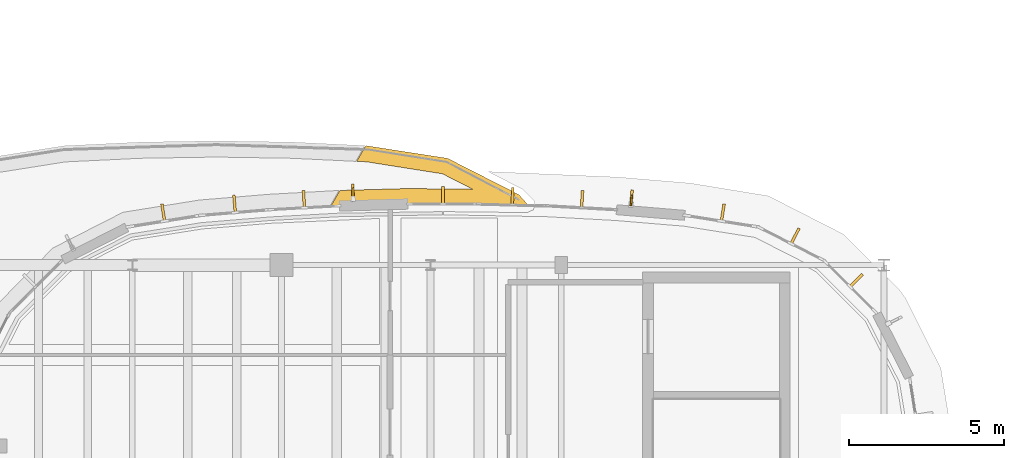
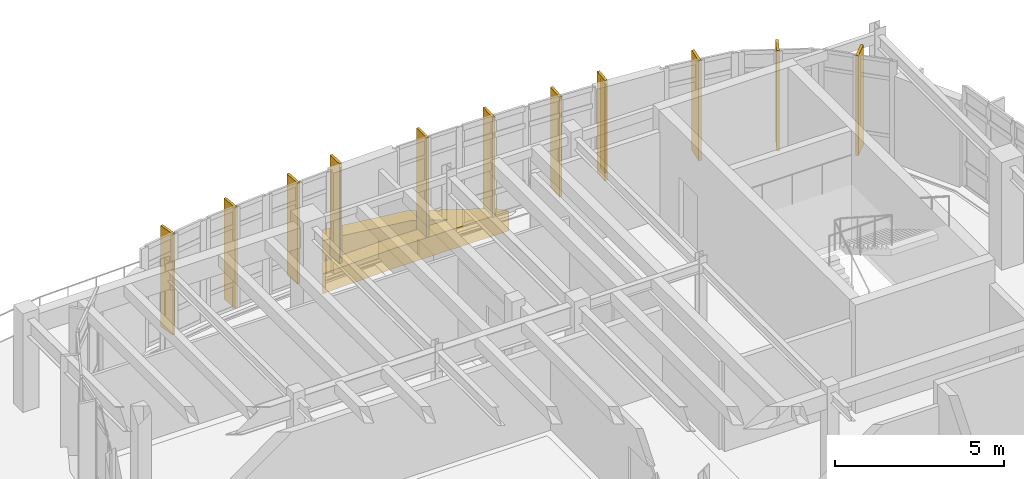
# One storey, part 105 of 105: 12 coverings, 2 shading devices.
"""IFC4 building model written with IfcOpenShell, lengths in metres."""

import ifcopenshell
import ifcopenshell.guid

model = None  # the IFC model being written
_history = None  # IfcOwnerHistory: only IFC2X3 demands one
_inside = {}  # id of a spatial element -> (the spatial element, [elements in it])
_under = {}  # id of a project, library or spatial element -> (it, [spatial elements below it])
_declared = {}  # id of a project -> (the project, [libraries it declares])
_typed = {}  # id of a type object -> (the type object, [elements of that type])
_made_of = {}  # id of a material, layer set ... -> (it, [elements and type objects made of it])


def new_model(schema):
    """Start an empty IFC model of exactly this schema.

    Asked for "IFC4X3", IfcOpenShell would pick the latest addendum, in which some entities
    have other attributes; the version numbers below select the first issue.
    IFC2X3 requires an IfcOwnerHistory on every rooted entity: one is made here for all.
    """
    global model, _history
    if schema == "IFC4X3":
        model = ifcopenshell.file(schema_version=(4, 3, 0, 0))
    else:
        model = ifcopenshell.file(schema=schema)
    _inside.clear()
    _under.clear()
    _declared.clear()
    _typed.clear()
    _made_of.clear()
    _history = None
    if model.schema == "IFC2X3":
        org = make("IfcOrganization", Name="unknown")
        user = make(
            "IfcPersonAndOrganization",
            ThePerson=make("IfcPerson", FamilyName="unknown"),
            TheOrganization=org,
        )
        app = make(
            "IfcApplication",
            ApplicationDeveloper=org,
            Version="unknown",
            ApplicationFullName="unknown",
            ApplicationIdentifier="unknown",
        )
        _history = make(
            "IfcOwnerHistory",
            OwningUser=user,
            OwningApplication=app,
            ChangeAction="ADDED",
            CreationDate=0,
        )
    return model


def make(cls, **values):
    """One entity of the class cls with the attributes given. An attribute that is None is left unset."""
    return model.create_entity(
        cls, **{name: value for name, value in values.items() if value is not None}
    )


def rooted(cls, **values):
    """An entity with a GlobalId (a new one), such as an element, a storey or a relation."""
    return make(cls, GlobalId=ifcopenshell.guid.new(), OwnerHistory=_history, **values)


def si_unit(unit_type, name, prefix=None):
    """IfcSIUnit, for example si_unit("LENGTHUNIT", "METRE", prefix="MILLI")."""
    return make("IfcSIUnit", UnitType=unit_type, Prefix=prefix, Name=name)


def assignment(units):
    """IfcUnitAssignment: the units of a project."""
    return None if units is None else make("IfcUnitAssignment", Units=units)


def point(xyz):
    """IfcCartesianPoint."""
    return None if xyz is None else make("IfcCartesianPoint", Coordinates=xyz)


def direction(xyz):
    """IfcDirection."""
    return None if xyz is None else make("IfcDirection", DirectionRatios=xyz)


def frame(location, z_axis=None, x_axis=None):
    """IfcAxis2Placement3D, a coordinate frame: its origin and axes. An axis left out is left unset."""
    return make(
        "IfcAxis2Placement3D",
        Location=point(location),
        Axis=direction(z_axis),
        RefDirection=direction(x_axis),
    )


def frame_2d(location, x_axis=None):
    """IfcAxis2Placement2D, a coordinate frame in the plane: its origin and x axis."""
    return make(
        "IfcAxis2Placement2D", Location=point(location), RefDirection=direction(x_axis)
    )


def origin():
    """The frame at (0, 0, 0) with its axes left unset."""
    return frame((0.0, 0.0, 0.0))


def origin_2d():
    """The frame at (0, 0) in the plane with its x axis left unset."""
    return frame_2d((0.0, 0.0))


def place(relative_to, where):
    """IfcLocalPlacement: puts the frame where relative to a parent placement (None: the world)."""
    return make(
        "IfcLocalPlacement", PlacementRelTo=relative_to, RelativePlacement=where
    )


def context(
    kind, dimensions, precision=None, world=None, true_north=None, identifier=None
):
    """IfcGeometricRepresentationContext, for example the 3D "Model" context."""
    return make(
        "IfcGeometricRepresentationContext",
        ContextIdentifier=identifier,
        ContextType=kind,
        CoordinateSpaceDimension=dimensions,
        Precision=precision,
        WorldCoordinateSystem=world,
        TrueNorth=true_north,
    )


def subcontext(parent, identifier, kind, view, scale=None):
    """IfcGeometricRepresentationSubContext, for example "Body" below "Model"."""
    return make(
        "IfcGeometricRepresentationSubContext",
        ContextIdentifier=identifier,
        ContextType=kind,
        ParentContext=parent,
        TargetScale=scale,
        TargetView=view,
    )


def project(units=None, contexts=None):
    """IfcProject with its units and contexts."""
    return rooted(
        "IfcProject",
        Name="project",
        RepresentationContexts=contexts,
        UnitsInContext=assignment(units),
    )


def spatial(cls, under=None, at=None, **own):
    """A site, building, storey or space (cls), placed at a placement, below another one or the project."""
    s = rooted(cls, ObjectPlacement=at, **own)
    if under is not None:
        _under.setdefault(under.id(), (under, []))[1].append(s)
    return s


def polyline(points):
    """IfcPolyline through the points."""
    return make("IfcPolyline", Points=[point(p) for p in points])


def profile(cls, at=None, kind="AREA", **sizes):
    """A parametric profile (cls). Its sizes go by their IFC names, for example OverallWidth=200.0."""
    return make(cls, ProfileType=kind, Position=at, **sizes)


def rectangle(**sizes):
    """IfcRectangleProfileDef."""
    return profile("IfcRectangleProfileDef", **sizes)


def outline(outer, holes=None, kind="AREA"):
    """IfcArbitraryClosedProfileDef: a profile drawn as a closed curve; with holes, ...WithVoids."""
    if holes is None:
        return make("IfcArbitraryClosedProfileDef", ProfileType=kind, OuterCurve=outer)
    return make(
        "IfcArbitraryProfileDefWithVoids",
        ProfileType=kind,
        OuterCurve=outer,
        InnerCurves=holes,
    )


def extrude(swept, where, along, depth):
    """IfcExtrudedAreaSolid: the profile swept, set in the frame where, extruded along a direction by depth."""
    return make(
        "IfcExtrudedAreaSolid",
        SweptArea=swept,
        Position=where,
        ExtrudedDirection=direction(along),
        Depth=depth,
    )


def shape(context_of_items, identifier, shape_type, items):
    """IfcShapeRepresentation: the items that make up one representation, for example the "Body"."""
    return make(
        "IfcShapeRepresentation",
        ContextOfItems=context_of_items,
        RepresentationIdentifier=identifier,
        RepresentationType=shape_type,
        Items=items,
    )


def material(Name=None, Category=None):
    """IfcMaterial."""
    return make("IfcMaterial", Name=Name, Category=Category)


def layer(
    of_material, thickness, ventilated=None, Name=None, Category=None, Priority=None
):
    """IfcMaterialLayer: one layer of a wall or slab, of a material (None: an air gap)."""
    return make(
        "IfcMaterialLayer",
        Material=of_material,
        LayerThickness=thickness,
        IsVentilated=ventilated,
        Name=Name,
        Category=Category,
        Priority=Priority,
    )


def layer_set(layers, Name=None):
    """IfcMaterialLayerSet."""
    return make("IfcMaterialLayerSet", MaterialLayers=layers, LayerSetName=Name)


def made_of(thing, what):
    """Note that an element or type object is made of a material, layer set ...; save() writes the relation."""
    if what is not None:
        _made_of.setdefault(what.id(), (what, []))[1].append(thing)
    return thing


def type_object(cls, material=None, **own):
    """A type object (cls), such as IfcWallType, which elements share."""
    return made_of(rooted(cls, **own), material)


def element(
    cls,
    number,
    at=None,
    inside=None,
    cuts=None,
    type_object=None,
    material=None,
    context=None,
    identifier="Body",
    shape_type=None,
    held_by="IfcProductDefinitionShape",
    body=None,
    shapes=None,
    **own,
):
    """One element of the class cls, such as IfcWall. Its Tag is "e" and its number.

    at: its placement. inside: the storey or other place that contains it. cuts: it is an
    opening in that element (IfcRelVoidsElement). A single representation is given by context,
    identifier, shape_type and body (its items); several are given by shapes. held_by: the class
    of the entity that holds the representations. save() writes the other relations.
    """
    e = rooted(cls, Tag="e%d" % number, ObjectPlacement=at, **own)
    if body is not None:
        shapes = [shape(context, identifier, shape_type, body)]
    if shapes is not None:
        e.Representation = make(held_by, Representations=shapes)
    if inside is not None:
        _inside.setdefault(inside.id(), (inside, []))[1].append(e)
    if cuts is not None:
        rooted(
            "IfcRelVoidsElement", RelatingBuildingElement=cuts, RelatedOpeningElement=e
        )
    if type_object is not None:
        _typed.setdefault(type_object.id(), (type_object, []))[1].append(e)
    return made_of(e, material)


def aggregate(whole, parts):
    """IfcRelAggregates: a whole, such as a stair, and the parts it consists of."""
    return rooted("IfcRelAggregates", RelatingObject=whole, RelatedObjects=parts)


def save(model, path):
    """Write the relations noted so far, then the file.

    IfcRelAggregates (storeys below a building ...), IfcRelContainedInSpatialStructure (elements
    in a storey), IfcRelDefinesByType, IfcRelAssociatesMaterial and IfcRelDeclares: one each for
    every whole, place, type object, material and project.
    """
    for whole, parts in _under.values():
        aggregate(whole, parts)
    for where, things in _inside.values():
        rooted(
            "IfcRelContainedInSpatialStructure",
            RelatedElements=things,
            RelatingStructure=where,
        )
    for kind, things in _typed.values():
        rooted("IfcRelDefinesByType", RelatedObjects=things, RelatingType=kind)
    for what, things in _made_of.values():
        rooted("IfcRelAssociatesMaterial", RelatedObjects=things, RelatingMaterial=what)
    for by, libraries in _declared.values():
        rooted("IfcRelDeclares", RelatingContext=by, RelatedDefinitions=libraries)
    model.write(path)


model = new_model("IFC4")

# Units and contexts
model_context = context("Model", 3, precision=1e-05, world=origin(), true_north=direction((0.0, 1.0)))
body_context = subcontext(model_context, "Body", "Model", "MODEL_VIEW")
ifc_project = project(units=[si_unit("LENGTHUNIT", "METRE"), si_unit("AREAUNIT", "SQUARE_METRE"), si_unit("VOLUMEUNIT", "CUBIC_METRE"), si_unit("PLANEANGLEUNIT", "RADIAN"), si_unit("MASSUNIT", "GRAM", prefix="KILO")], contexts=[model_context])

# Site, building, storey
site_placement = place(None, origin())
site = spatial("IfcSite", under=ifc_project, at=site_placement, CompositionType="ELEMENT")
building_placement = place(site_placement, origin())
building = spatial("IfcBuilding", under=site, at=building_placement, Name="Corveleigh Park Community Centre", CompositionType="ELEMENT")
storey_placement = place(building_placement, frame((0.0, 0.0, 8.699951171875)))
storey = spatial("IfcBuildingStorey", under=building, at=storey_placement, Name="L02", CompositionType="ELEMENT", Elevation=8.699951171875)

# Coverings
ifc_material_1 = material(Name="Warm buff ribbed architectural cladding", Category="masonry")
ifc_layer_1 = layer(ifc_material_1, 0.0849609375, Name="Warm buff ribbed architectural cladding", Category="masonry")
ifc_layer_set_1 = layer_set([ifc_layer_1], Name="Warm buff ribbed architectural cladding")
covering_type_1 = type_object("IfcCoveringType", Name="COV-CLD-BUF", PredefinedType="CLADDING", material=ifc_layer_set_1)
covering_1_placement = place(storey_placement, origin())
element("IfcCovering", 1, at=covering_1_placement, inside=storey, type_object=covering_type_1, Name="V4 L02 Brise-soleil blade 395", PredefinedType="CLADDING", context=body_context, shape_type="SweptSolid", body=[
    extrude(outline(polyline([(167.263916015625, 103.52392578125), (167.323974609375, 103.464111328125), (167.73388671875, 103.8740234375), (167.674072265625, 103.93408203125), (167.263916015625, 103.52392578125)])), origin(), (0.0, 0.0, 1.0), 3.612060546875),
])
covering_2_placement = place(storey_placement, origin())
element("IfcCovering", 2, at=covering_2_placement, inside=storey, type_object=covering_type_1, Name="V4 L02 Brise-soleil blade 396", PredefinedType="CLADDING", context=body_context, shape_type="SweptSolid", body=[
    extrude(outline(polyline([(165.361083984375, 104.889892578125), (165.43701171875, 104.85107421875), (165.699951171875, 105.367919921875), (165.6240234375, 105.406982421875), (165.361083984375, 104.889892578125)])), origin(), (0.0, 0.0, 1.0), 3.612060546875),
])
covering_3_placement = place(storey_placement, origin())
element("IfcCovering", 3, at=covering_3_placement, inside=storey, type_object=covering_type_1, Name="V4 L02 Brise-soleil blade 397", PredefinedType="CLADDING", context=body_context, shape_type="SweptSolid", body=[
    extrude(outline(polyline([(163.116943359375, 105.60302734375), (163.200927734375, 105.590087890625), (163.2919921875, 106.162109375), (163.2080078125, 106.176025390625), (163.116943359375, 105.60302734375)])), origin(), (0.0, 0.0, 1.0), 3.612060546875),
])
covering_4_placement = place(storey_placement, origin())
element("IfcCovering", 4, at=covering_4_placement, inside=storey, type_object=covering_type_1, Name="V4 L02 Brise-soleil blade 398", PredefinedType="CLADDING", context=body_context, shape_type="SweptSolid", body=[
    extrude(outline(polyline([(160.202880859375, 106.093994140625), (160.2880859375, 106.0869140625), (160.33203125, 106.6201171875), (160.2470703125, 106.626953125), (160.202880859375, 106.093994140625)])), origin(), (0.0, 0.0, 1.0), 3.612060546875),
])
covering_5_placement = place(storey_placement, origin())
element("IfcCovering", 5, at=covering_5_placement, inside=storey, type_object=covering_type_1, Name="V4 L02 Brise-soleil blade 399", PredefinedType="CLADDING", context=body_context, shape_type="SweptSolid", body=[
    extrude(outline(polyline([(158.617919921875, 106.028076171875), (158.702880859375, 106.02294921875), (158.735107421875, 106.60205078125), (158.64990234375, 106.60693359375), (158.617919921875, 106.028076171875)])), origin(), (0.0, 0.0, 1.0), 3.612060546875),
])
covering_6_placement = place(storey_placement, origin())
element("IfcCovering", 6, at=covering_6_placement, inside=storey, type_object=covering_type_1, Name="V4 L02 Brise-soleil blade 400", PredefinedType="CLADDING", context=body_context, shape_type="SweptSolid", body=[
    extrude(outline(polyline([(156.387939453125, 106.118896484375), (156.472900390625, 106.116943359375), (156.489990234375, 106.697021484375), (156.405029296875, 106.698974609375), (156.387939453125, 106.118896484375)])), origin(), (0.0, 0.0, 1.0), 3.612060546875),
])
covering_7_placement = place(storey_placement, origin())
element("IfcCovering", 7, at=covering_7_placement, inside=storey, type_object=covering_type_1, Name="V4 L02 Brise-soleil blade 401", PredefinedType="CLADDING", context=body_context, shape_type="SweptSolid", body=[
    extrude(outline(polyline([(154.156982421875, 106.14892578125), (154.241943359375, 106.14892578125), (154.241943359375, 106.72900390625), (154.156982421875, 106.72900390625), (154.156982421875, 106.14892578125)])), origin(), (0.0, 0.0, 1.0), 3.636962890625),
])
covering_8_placement = place(storey_placement, origin())
element("IfcCovering", 8, at=covering_8_placement, inside=storey, type_object=covering_type_1, Name="V4 L02 Brise-soleil blade 402", PredefinedType="CLADDING", context=body_context, shape_type="SweptSolid", body=[
    extrude(outline(polyline([(151.264892578125, 106.27294921875), (151.35009765625, 106.27587890625), (151.3349609375, 106.81005859375), (151.25, 106.80810546875), (151.264892578125, 106.27294921875)])), origin(), (0.0, 0.0, 1.0), 3.636962890625),
])
covering_9_placement = place(storey_placement, origin())
element("IfcCovering", 9, at=covering_9_placement, inside=storey, type_object=covering_type_1, Name="V4 L02 Brise-soleil blade 403", PredefinedType="CLADDING", context=body_context, shape_type="SweptSolid", body=[
    extrude(outline(polyline([(149.697021484375, 106.02294921875), (149.781982421875, 106.028076171875), (149.75, 106.60693359375), (149.6650390625, 106.60205078125), (149.697021484375, 106.02294921875)])), origin(), (0.0, 0.0, 1.0), 3.636962890625),
])
covering_10_placement = place(storey_placement, origin())
element("IfcCovering", 10, at=covering_10_placement, inside=storey, type_object=covering_type_1, Name="V4 L02 Brise-soleil blade 404", PredefinedType="CLADDING", context=body_context, shape_type="SweptSolid", body=[
    extrude(outline(polyline([(147.472900390625, 105.868896484375), (147.55810546875, 105.8759765625), (147.510009765625, 106.452880859375), (147.426025390625, 106.446044921875), (147.472900390625, 105.868896484375)])), origin(), (0.0, 0.0, 1.0), 3.636962890625),
])
covering_11_placement = place(storey_placement, origin())
element("IfcCovering", 11, at=covering_11_placement, inside=storey, type_object=covering_type_1, Name="V4 L02 Brise-soleil blade 405", PredefinedType="CLADDING", context=body_context, shape_type="SweptSolid", body=[
    extrude(outline(polyline([(145.198974609375, 105.590087890625), (145.282958984375, 105.60302734375), (145.19189453125, 106.176025390625), (145.10791015625, 106.162109375), (145.198974609375, 105.590087890625)])), origin(), (0.0, 0.0, 1.0), 3.636962890625),
])
ifc_material_2 = material(Name="White architectural fascia cladding", Category="masonry")
ifc_layer_2 = layer(ifc_material_2, 0.074951171875, Name="White architectural fascia cladding", Category="masonry")
ifc_layer_set_2 = layer_set([ifc_layer_2], Name="White architectural fascia cladding")
covering_type_2 = type_object("IfcCoveringType", Name="COV-CLD-WHT", PredefinedType="CLADDING", material=ifc_layer_set_2)
covering_12_placement = place(storey_placement, frame((0.0, 0.0, -0.679931640625)))
element("IfcCovering", 12, at=covering_12_placement, inside=storey, type_object=covering_type_2, Name="Step 2 Library Reading Terrace Sweeping White Edge Band 1", PredefinedType="CLADDING", context=body_context, shape_type="SweptSolid", body=[
    extrude(outline(polyline([(151.715087890625, 108.0439453125), (154.345947265625, 107.636962890625), (156.637939453125, 106.469970703125), (156.950927734375, 106.1240234375), (153.083984375, 106.14404296875), (150.572021484375, 106.06591796875), (150.882080078125, 106.60302734375), (153.071044921875, 106.6640625), (155.157958984375, 106.639892578125), (154.18408203125, 107.136962890625), (151.7509765625, 107.52197265625), (151.423095703125, 107.5380859375), (151.715087890625, 108.0439453125)])), origin(), (0.0, 0.0, 1.0), 0.719970703125),
])

# Shading devices
ifc_material_3 = material(Name="Terracotta-anodised aluminium fin", Category="masonry")
shading_device_type_1 = type_object("IfcShadingDeviceType", Name="SHD-FIN-TER-350", PredefinedType="USERDEFINED", material=ifc_material_3)
shading_device_1_placement = place(storey_placement, frame((160.260986328125, 106.280029296875, 0.25), z_axis=(0.0, 0.0, 1.0), x_axis=(0.082371258806, 0.996601713686, 0.0)))
element("IfcShadingDevice", 13, at=shading_device_1_placement, inside=storey, type_object=shading_device_type_1, Name="Terracotta brise-soleil fin 81", ObjectType="FIN", PredefinedType="USERDEFINED", context=body_context, shape_type="SweptSolid", body=[
    extrude(rectangle(XDim=0.35009765625, YDim=0.06005859375, at=origin_2d()), origin(), (0.0, 0.0, 1.0), 3.2119140625),
])
shading_device_type_2 = type_object("IfcShadingDeviceType", Name="SHD-FIN-TER-450", PredefinedType="USERDEFINED", material=ifc_material_3)
shading_device_2_placement = place(storey_placement, frame((151.302001953125, 106.464111328125, 0.25), z_axis=(0.0, 0.0, 1.0), x_axis=(-0.028005278833, 0.999607775259, 0.0)))
element("IfcShadingDevice", 14, at=shading_device_2_placement, inside=storey, type_object=shading_device_type_2, Name="Terracotta brise-soleil fin 82", ObjectType="FIN", PredefinedType="USERDEFINED", context=body_context, shape_type="SweptSolid", body=[
    extrude(rectangle(XDim=0.449951171875, YDim=0.06494140625, at=origin_2d()), origin(), (0.0, 0.0, 1.0), 3.237060546875),
])

save(model, "model.ifc")
